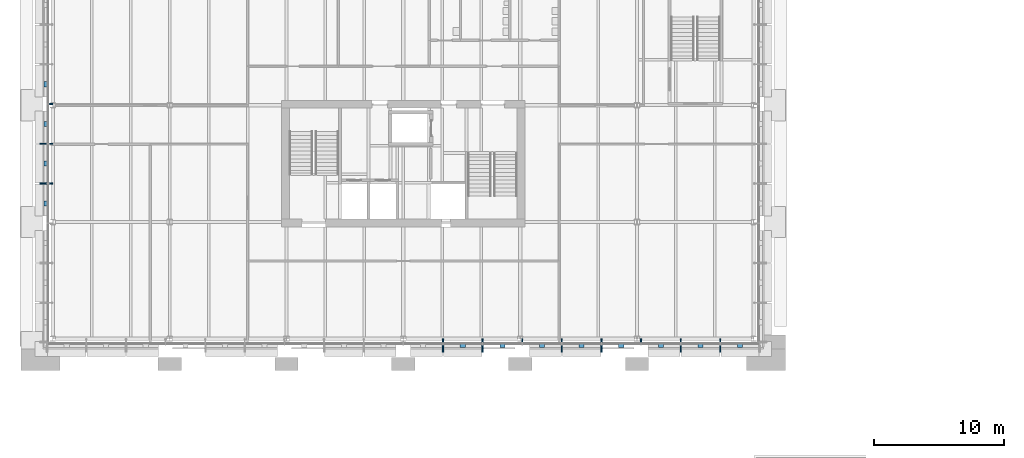
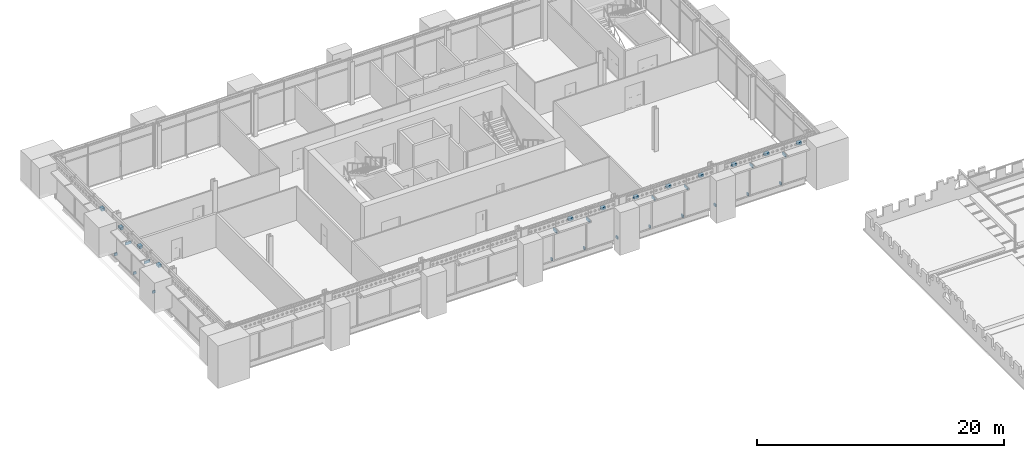
# One storey, part 119 of 153: 31 discrete accessories.
"""IFC4 building model written with IfcOpenShell, lengths in metres."""

from ifc_helpers import new_model, si_unit, direction, frame, origin, origin_2d, place, context, subcontext, project, spatial, rectangle, extrude, material, type_object, element, save


model = new_model("IFC4")

# Units and contexts
model_context = context("Model", 3, precision=1e-05, world=origin(), true_north=direction((0.0, 1.0)))
body_context = subcontext(model_context, "Body", "Model", "MODEL_VIEW")
ifc_project = project(units=[si_unit("LENGTHUNIT", "METRE"), si_unit("AREAUNIT", "SQUARE_METRE"), si_unit("VOLUMEUNIT", "CUBIC_METRE"), si_unit("PLANEANGLEUNIT", "RADIAN"), si_unit("MASSUNIT", "GRAM", prefix="KILO")], contexts=[model_context])

# Site, building, storey
site_placement = place(None, origin())
site = spatial("IfcSite", under=ifc_project, at=site_placement, CompositionType="ELEMENT")
building_placement = place(site_placement, origin())
building = spatial("IfcBuilding", under=site, at=building_placement, Name="Baradari Gate Terminus", CompositionType="ELEMENT")
storey_placement = place(building_placement, frame((0.0, 0.0, 11.699951171875)))
storey = spatial("IfcBuildingStorey", under=building, at=storey_placement, Name="L02", CompositionType="ELEMENT", Elevation=11.699951171875)

# Discrete accessories
ifc_material_1 = material(Name="Steel S275", Category="steel")
discrete_accessory_type_1 = type_object("IfcDiscreteAccessoryType", Name="Chhajja bracket BK-3 galvanised steel", PredefinedType="BRACKET", material=ifc_material_1)
for number, where, z_axis, x_axis, name in (
    (1, (39.05224609375, 116.260009765625, 3.08251953125), (0.0, 0.0, 1.0), (0.0, -1.0, 0.0), "Chhajja bracket BK-3 L02/TS mullion 11"),
    (2, (42.1044921875, 116.260009765625, 3.08251953125), (0.0, 0.0, 1.0), (0.0, -1.0, 0.0), "Chhajja bracket BK-3 L02/TS mullion 12"),
    (3, (48.208984375, 116.260009765625, 3.08251953125), (0.0, 0.0, 1.0), (0.0, -1.0, 0.0), "Chhajja bracket BK-3 L02/TS mullion 14"),
    (4, (51.26123046875, 116.260009765625, 3.08251953125), (0.0, 0.0, 1.0), (0.0, -1.0, 0.0), "Chhajja bracket BK-3 L02/TS mullion 15"),
    (5, (57.365478515625, 116.260009765625, 3.08251953125), (0.0, 0.0, 1.0), (0.0, -1.0, 0.0), "Chhajja bracket BK-3 L02/TS mullion 17"),
    (6, (60.417724609375, 116.260009765625, 3.08251953125), (0.0, 0.0, 1.0), (0.0, -1.0, 0.0), "Chhajja bracket BK-3 L02/TS mullion 18"),
    (7, (8.260009765625, 128.969970703125, 3.08251953125), (0.0, 0.0, 1.0), (-1.0, 0.0, 0.0), "Chhajja bracket BK-3 L02/TW mullion 5"),
    (8, (8.260009765625, 132.030029296875, 3.08251953125), (0.0, 0.0, 1.0), (-1.0, 0.0, 0.0), "Chhajja bracket BK-3 L02/TW mullion 6"),
):
    element("IfcDiscreteAccessory", number, at=place(storey_placement, frame(where, z_axis=z_axis, x_axis=x_axis)), inside=storey, type_object=discrete_accessory_type_1, Name=name, PredefinedType="BRACKET", context=body_context, shape_type="SweptSolid", body=[
        extrude(rectangle(XDim=0.5400390625, YDim=0.10009765625, at=origin_2d()), origin(), (0.0, 0.0, 1.0), 0.25),
    ])
ifc_material_2 = material(Name="Aluminium 6063-T6", Category="aluminium")
discrete_accessory_type_2 = type_object("IfcDiscreteAccessoryType", Name="Curtain wall bracket BK-1 100x250", PredefinedType="BRACKET", material=ifc_material_2)
for number, where, z_axis, x_axis, name in (
    (9, (39.05224609375, 116.864990234375, -0.099853515625), (0.0, 0.0, 1.0), (0.0, -1.0, 0.0), "Curtain wall bracket BK-1 L02/TS mullion 11"),
    (10, (42.1044921875, 116.864990234375, -0.099853515625), (0.0, 0.0, 1.0), (0.0, -1.0, 0.0), "Curtain wall bracket BK-1 L02/TS mullion 12"),
    (11, (45.15673828125, 116.864990234375, -0.099853515625), (0.0, 0.0, 1.0), (0.0, -1.0, 0.0), "Curtain wall bracket BK-1 L02/TS mullion 13"),
    (12, (48.208984375, 116.864990234375, -0.099853515625), (0.0, 0.0, 1.0), (0.0, -1.0, 0.0), "Curtain wall bracket BK-1 L02/TS mullion 14"),
    (13, (51.26123046875, 116.864990234375, -0.099853515625), (0.0, 0.0, 1.0), (0.0, -1.0, 0.0), "Curtain wall bracket BK-1 L02/TS mullion 15"),
    (14, (54.313232421875, 116.864990234375, -0.099853515625), (0.0, 0.0, 1.0), (0.0, -1.0, 0.0), "Curtain wall bracket BK-1 L02/TS mullion 16"),
    (15, (57.365478515625, 116.864990234375, -0.099853515625), (0.0, 0.0, 1.0), (0.0, -1.0, 0.0), "Curtain wall bracket BK-1 L02/TS mullion 17"),
    (16, (60.417724609375, 116.864990234375, -0.099853515625), (0.0, 0.0, 1.0), (0.0, -1.0, 0.0), "Curtain wall bracket BK-1 L02/TS mullion 18"),
    (17, (8.864990234375, 128.969970703125, -0.099853515625), (0.0, 0.0, 1.0), (-1.0, 0.0, 0.0), "Curtain wall bracket BK-1 L02/TW mullion 5"),
    (18, (8.864990234375, 132.030029296875, -0.099853515625), (0.0, 0.0, 1.0), (-1.0, 0.0, 0.0), "Curtain wall bracket BK-1 L02/TW mullion 6"),
    (19, (8.864990234375, 135.090087890625, -0.099853515625), (0.0, 0.0, 1.0), (-1.0, 0.0, 0.0), "Curtain wall bracket BK-1 L02/TW mullion 7"),
):
    element("IfcDiscreteAccessory", number, at=place(storey_placement, frame(where, z_axis=z_axis, x_axis=x_axis)), inside=storey, type_object=discrete_accessory_type_2, Name=name, PredefinedType="BRACKET", context=body_context, shape_type="SweptSolid", body=[
        extrude(rectangle(XDim=0.27001953125, YDim=0.10009765625, at=origin_2d()), origin(), (0.0, 0.0, 1.0), 0.25),
    ])
ifc_material_3 = material(Name="Stainless steel 316", Category="steel")
discrete_accessory_type_3 = type_object("IfcDiscreteAccessoryType", Name="Jali screen bracket BK-2 stainless steel", PredefinedType="BRACKET", material=ifc_material_3)
for number, where, z_axis, x_axis, name in (
    (20, (40.578369140625, 116.472412109375, 3.60888671875), (0.0, 0.0, 1.0), (0.0, -1.0, 0.0), "Jali screen bracket BK-2 L02/TS bay 11"),
    (21, (43.630615234375, 116.472412109375, 3.60888671875), (0.0, 0.0, 1.0), (0.0, -1.0, 0.0), "Jali screen bracket BK-2 L02/TS bay 12"),
    (22, (46.682861328125, 116.472412109375, 3.60888671875), (0.0, 0.0, 1.0), (0.0, -1.0, 0.0), "Jali screen bracket BK-2 L02/TS bay 13"),
    (23, (49.735107421875, 116.472412109375, 3.60888671875), (0.0, 0.0, 1.0), (0.0, -1.0, 0.0), "Jali screen bracket BK-2 L02/TS bay 14"),
    (24, (52.787109375, 116.472412109375, 3.60888671875), (0.0, 0.0, 1.0), (0.0, -1.0, 0.0), "Jali screen bracket BK-2 L02/TS bay 15"),
    (25, (55.83935546875, 116.472412109375, 3.60888671875), (0.0, 0.0, 1.0), (0.0, -1.0, 0.0), "Jali screen bracket BK-2 L02/TS bay 16"),
    (26, (58.8916015625, 116.472412109375, 3.60888671875), (0.0, 0.0, 1.0), (0.0, -1.0, 0.0), "Jali screen bracket BK-2 L02/TS bay 17"),
    (27, (61.927734375, 116.472412109375, 3.60888671875), (0.0, 0.0, 1.0), (0.0, -1.0, 0.0), "Jali screen bracket BK-2 L02/TS bay 18"),
    (28, (8.472412109375, 127.43994140625, 3.60888671875), (0.0, 0.0, 1.0), (-1.0, 0.0, 0.0), "Jali screen bracket BK-2 L02/TW bay 4"),
    (29, (8.472412109375, 130.5, 3.60888671875), (0.0, 0.0, 1.0), (-1.0, 0.0, 0.0), "Jali screen bracket BK-2 L02/TW bay 5"),
    (30, (8.472412109375, 133.56005859375, 3.60888671875), (0.0, 0.0, 1.0), (-1.0, 0.0, 0.0), "Jali screen bracket BK-2 L02/TW bay 6"),
    (31, (8.472412109375, 136.6201171875, 3.60888671875), (0.0, 0.0, 1.0), (-1.0, 0.0, 0.0), "Jali screen bracket BK-2 L02/TW bay 7"),
):
    element("IfcDiscreteAccessory", number, at=place(storey_placement, frame(where, z_axis=z_axis, x_axis=x_axis)), inside=storey, type_object=discrete_accessory_type_3, Name=name, PredefinedType="BRACKET", context=body_context, shape_type="SweptSolid", body=[
        extrude(rectangle(XDim=0.284912109375, YDim=0.39990234375, at=origin_2d()), origin(), (0.0, 0.0, 1.0), 0.25),
    ])

save(model, "model.ifc")
